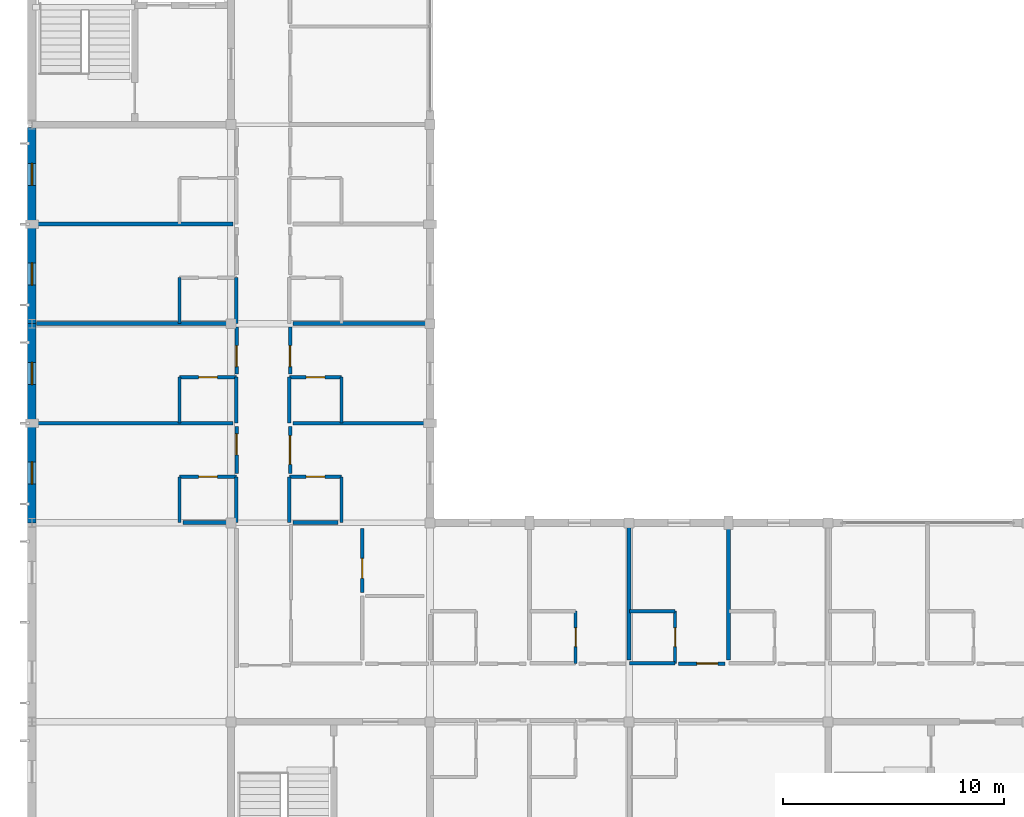
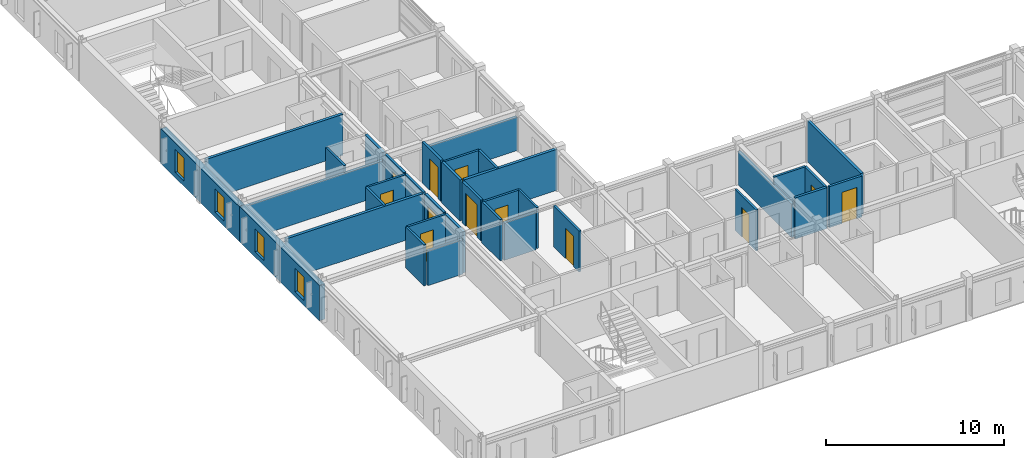
# One storey, part 11 of 24: 35 walls, 12 doors, 4 windows, 16 openings.
"""IFC4 building model written with IfcOpenShell, lengths in metres."""

from ifc_helpers import new_model, si_unit, direction, frame, frame_2d, origin, place, context, subcontext, project, spatial, rectangle, extrude, material, layer, layer_set, type_object, element, fill, save


model = new_model("IFC4")

# Units and contexts
model_context = context("Model", 3, precision=1e-05, world=origin(), true_north=direction((0.0, 1.0)))
body_context = subcontext(model_context, "Body", "Model", "MODEL_VIEW")
ifc_project = project(units=[si_unit("LENGTHUNIT", "METRE"), si_unit("AREAUNIT", "SQUARE_METRE"), si_unit("VOLUMEUNIT", "CUBIC_METRE"), si_unit("PLANEANGLEUNIT", "RADIAN"), si_unit("MASSUNIT", "GRAM", prefix="KILO")], contexts=[model_context])

# Site, building, storey
site_placement = place(None, origin())
site = spatial("IfcSite", under=ifc_project, at=site_placement, CompositionType="ELEMENT")
building_placement = place(site_placement, origin())
building = spatial("IfcBuilding", under=site, at=building_placement, Name="Palais des Congres Ocreval", CompositionType="ELEMENT")
storey_placement = place(building_placement, frame((0.0, 0.0, 17.60009765625)))
storey = spatial("IfcBuildingStorey", under=building, at=storey_placement, Name="L05", CompositionType="ELEMENT", Elevation=17.60009765625)

# Wall, opening, door
ifc_material_1 = material(Name="Moisture-resistant gypsum board")
ifc_layer_1 = layer(ifc_material_1, 0.139892578125)
ifc_layer_set_1 = layer_set([ifc_layer_1], Name="Bathroom Plumbing Chase Wall 140 Gypsum (Moisture-resistant gypsum board)")
wall_type_1 = type_object("IfcWallType", Name="Bathroom Plumbing Chase Wall 140 Gypsum", PredefinedType="PLUMBINGWALL", material=ifc_layer_set_1)
wall_1_placement = place(storey_placement, frame((24.580078125, 11.639892578125, 0.0), z_axis=(0.0, 0.0, 1.0), x_axis=(0.0, 1.0, 0.0)))
wall_1 = element("IfcWall", 1, at=wall_1_placement, inside=storey, type_object=wall_type_1, Name="Bathroom Plumbing Wall PW03 L05", PredefinedType="PLUMBINGWALL", context=body_context, shape_type="SweptSolid", body=[
    extrude(rectangle(XDim=2.360107421875, YDim=0.139892578125, at=frame_2d((1.18017578125, 0.0))), origin(), (0.0, 0.0, 1.0), 2.81982421875),
])
opening_1_placement = place(wall_1_placement, frame((0.7548828125, 0.0, 0.0)))
opening_1 = element("IfcOpeningElement", 2, at=opening_1_placement, cuts=wall_1, Name="Opening D08", PredefinedType="OPENING", context=body_context, shape_type="SweptSolid", body=[
    extrude(rectangle(XDim=0.85009765625, YDim=2.0400390625, at=frame_2d((0.425048828125, 1.02001953125))), frame((0.0, 0.079833984375, 0.0), z_axis=(0.0, -1.0, 0.0), x_axis=(1.0, 0.0, 0.0)), (0.0, 0.0, 1.0), 0.159912109375),
])
ifc_material_2 = material(Name="Solid French oak", Category="wood")
door_type_1 = type_object("IfcDoorType", Name="En-Suite Bathroom Door 850x2040", OperationType="NOTDEFINED", PredefinedType="DOOR", material=ifc_material_2)
door_1_placement = place(opening_1_placement, origin())
door_1 = element("IfcDoor", 3, at=door_1_placement, inside=storey, type_object=door_type_1, Name="En-Suite Bathroom Door D08 L05", OperationType="SINGLE_SWING_RIGHT", OverallHeight=2.0400390625, OverallWidth=0.85009765625, PredefinedType="DOOR", context=body_context, shape_type="SweptSolid", body=[
    extrude(rectangle(XDim=0.85009765625, YDim=2.0400390625, at=frame_2d((0.425048828125, 1.02001953125))), frame((0.0, 0.02490234375, 0.0), z_axis=(0.0, -1.0, 0.0), x_axis=(1.0, 0.0, 0.0)), (0.0, 0.0, 1.0), 0.050048828125),
])
fill(opening_1, door_1)

wall_2_placement = place(storey_placement, frame((29.080078125, 11.639892578125, 0.0), z_axis=(0.0, 0.0, 1.0), x_axis=(0.0, 1.0, 0.0)))
wall_2 = element("IfcWall", 4, at=wall_2_placement, inside=storey, type_object=wall_type_1, Name="Bathroom Plumbing Wall PW03 L05", PredefinedType="PLUMBINGWALL", context=body_context, shape_type="SweptSolid", body=[
    extrude(rectangle(XDim=2.360107421875, YDim=0.139892578125, at=frame_2d((1.18017578125, 0.0))), origin(), (0.0, 0.0, 1.0), 2.81982421875),
])
opening_2_placement = place(wall_2_placement, frame((0.7548828125, 0.0, 0.0)))
opening_2 = element("IfcOpeningElement", 5, at=opening_2_placement, cuts=wall_2, Name="Opening D08", PredefinedType="OPENING", context=body_context, shape_type="SweptSolid", body=[
    extrude(rectangle(XDim=0.85009765625, YDim=2.0400390625, at=frame_2d((0.425048828125, 1.02001953125))), frame((0.0, 0.079833984375, 0.0), z_axis=(0.0, -1.0, 0.0), x_axis=(1.0, 0.0, 0.0)), (0.0, 0.0, 1.0), 0.159912109375),
])
door_2_placement = place(opening_2_placement, origin())
door_2 = element("IfcDoor", 6, at=door_2_placement, inside=storey, type_object=door_type_1, Name="En-Suite Bathroom Door D08 L05", OperationType="SINGLE_SWING_LEFT", OverallHeight=2.0400390625, OverallWidth=0.85009765625, PredefinedType="DOOR", context=body_context, shape_type="SweptSolid", body=[
    extrude(rectangle(XDim=0.85009765625, YDim=2.0400390625, at=frame_2d((0.425048828125, 1.02001953125))), frame((0.0, 0.02490234375, 0.0), z_axis=(0.0, -1.0, 0.0), x_axis=(1.0, 0.0, 0.0)), (0.0, 0.0, 1.0), 0.050048828125),
])
fill(opening_2, door_2)

# Wall
wall_3_placement = place(storey_placement, frame((27.02001953125, 14.0, 0.0), z_axis=(0.0, 0.0, 1.0), x_axis=(1.0, 0.0, 0.0)))
element("IfcWall", 7, at=wall_3_placement, inside=storey, type_object=wall_type_1, Name="Bathroom Plumbing Wall PW03 L05", PredefinedType="PLUMBINGWALL", context=body_context, shape_type="SweptSolid", body=[
    extrude(rectangle(XDim=2.06005859375, YDim=0.139892578125, at=frame_2d((1.030029296875, 0.0))), origin(), (0.0, 0.0, 1.0), 2.81982421875),
])

# Wall, opening, door
wall_4_placement = place(storey_placement, frame((6.679931640625, 20.080078125, 0.0), z_axis=(0.0, 0.0, 1.0), x_axis=(1.0, 0.0, 0.0)))
wall_4 = element("IfcWall", 8, at=wall_4_placement, inside=storey, type_object=wall_type_1, Name="Bathroom Plumbing Wall PW03 L05", PredefinedType="PLUMBINGWALL", context=body_context, shape_type="SweptSolid", body=[
    extrude(rectangle(XDim=2.56005859375, YDim=0.139892578125, at=frame_2d((1.280029296875, 0.0))), origin(), (0.0, 0.0, 1.0), 2.81982421875),
])
opening_3_placement = place(wall_4_placement, frame((0.85498046875, 0.0, 0.0)))
opening_3 = element("IfcOpeningElement", 9, at=opening_3_placement, cuts=wall_4, Name="Opening D08", PredefinedType="OPENING", context=body_context, shape_type="SweptSolid", body=[
    extrude(rectangle(XDim=0.85009765625, YDim=2.0400390625, at=frame_2d((0.425048828125, 1.02001953125))), frame((0.0, 0.079833984375, 0.0), z_axis=(0.0, -1.0, 0.0), x_axis=(1.0, 0.0, 0.0)), (0.0, 0.0, 1.0), 0.159912109375),
])
door_3_placement = place(opening_3_placement, origin())
door_3 = element("IfcDoor", 10, at=door_3_placement, inside=storey, type_object=door_type_1, Name="En-Suite Bathroom Door D08 L05", OperationType="SINGLE_SWING_LEFT", OverallHeight=2.0400390625, OverallWidth=0.85009765625, PredefinedType="DOOR", context=body_context, shape_type="SweptSolid", body=[
    extrude(rectangle(XDim=0.85009765625, YDim=2.0400390625, at=frame_2d((0.425048828125, 1.02001953125))), frame((0.0, 0.02490234375, 0.0), z_axis=(0.0, -1.0, 0.0), x_axis=(1.0, 0.0, 0.0)), (0.0, 0.0, 1.0), 0.050048828125),
])
fill(opening_3, door_3)

# Wall
wall_5_placement = place(storey_placement, frame((6.679931640625, 18.02001953125, 0.0), z_axis=(0.0, 0.0, 1.0), x_axis=(0.0, 1.0, 0.0)))
element("IfcWall", 11, at=wall_5_placement, inside=storey, type_object=wall_type_1, Name="Bathroom Plumbing Wall PW03 L05", PredefinedType="PLUMBINGWALL", context=body_context, shape_type="SweptSolid", body=[
    extrude(rectangle(XDim=2.06005859375, YDim=0.139892578125, at=frame_2d((1.030029296875, 0.0))), origin(), (0.0, 0.0, 1.0), 2.81982421875),
])

# Wall, opening, door
wall_6_placement = place(storey_placement, frame((6.679931640625, 24.580078125, 0.0), z_axis=(0.0, 0.0, 1.0), x_axis=(1.0, 0.0, 0.0)))
wall_6 = element("IfcWall", 12, at=wall_6_placement, inside=storey, type_object=wall_type_1, Name="Bathroom Plumbing Wall PW03 L05", PredefinedType="PLUMBINGWALL", context=body_context, shape_type="SweptSolid", body=[
    extrude(rectangle(XDim=2.56005859375, YDim=0.139892578125, at=frame_2d((1.280029296875, 0.0))), origin(), (0.0, 0.0, 1.0), 2.81982421875),
])
opening_4_placement = place(wall_6_placement, frame((0.85498046875, 0.0, 0.0)))
opening_4 = element("IfcOpeningElement", 13, at=opening_4_placement, cuts=wall_6, Name="Opening D08", PredefinedType="OPENING", context=body_context, shape_type="SweptSolid", body=[
    extrude(rectangle(XDim=0.85009765625, YDim=2.0400390625, at=frame_2d((0.425048828125, 1.02001953125))), frame((0.0, 0.079833984375, 0.0), z_axis=(0.0, -1.0, 0.0), x_axis=(1.0, 0.0, 0.0)), (0.0, 0.0, 1.0), 0.159912109375),
])
door_4_placement = place(opening_4_placement, origin())
door_4 = element("IfcDoor", 14, at=door_4_placement, inside=storey, type_object=door_type_1, Name="En-Suite Bathroom Door D08 L05", OperationType="SINGLE_SWING_RIGHT", OverallHeight=2.0400390625, OverallWidth=0.85009765625, PredefinedType="DOOR", context=body_context, shape_type="SweptSolid", body=[
    extrude(rectangle(XDim=0.85009765625, YDim=2.0400390625, at=frame_2d((0.425048828125, 1.02001953125))), frame((0.0, 0.02490234375, 0.0), z_axis=(0.0, -1.0, 0.0), x_axis=(1.0, 0.0, 0.0)), (0.0, 0.0, 1.0), 0.050048828125),
])
fill(opening_4, door_4)

# Wall
wall_7_placement = place(storey_placement, frame((6.679931640625, 22.52001953125, 0.0), z_axis=(0.0, 0.0, 1.0), x_axis=(0.0, 1.0, 0.0)))
element("IfcWall", 15, at=wall_7_placement, inside=storey, type_object=wall_type_1, Name="Bathroom Plumbing Wall PW03 L05", PredefinedType="PLUMBINGWALL", context=body_context, shape_type="SweptSolid", body=[
    extrude(rectangle(XDim=2.06005859375, YDim=0.139892578125, at=frame_2d((1.030029296875, 0.0))), origin(), (0.0, 0.0, 1.0), 2.81982421875),
])

# Wall, opening, door
wall_8_placement = place(storey_placement, frame((11.639892578125, 20.080078125, 0.0), z_axis=(0.0, 0.0, 1.0), x_axis=(1.0, 0.0, 0.0)))
wall_8 = element("IfcWall", 16, at=wall_8_placement, inside=storey, type_object=wall_type_1, Name="Bathroom Plumbing Wall PW03 L05", PredefinedType="PLUMBINGWALL", context=body_context, shape_type="SweptSolid", body=[
    extrude(rectangle(XDim=2.360107421875, YDim=0.139892578125, at=frame_2d((1.18017578125, 0.0))), origin(), (0.0, 0.0, 1.0), 2.81982421875),
])
opening_5_placement = place(wall_8_placement, frame((0.7548828125, 0.0, 0.0)))
opening_5 = element("IfcOpeningElement", 17, at=opening_5_placement, cuts=wall_8, Name="Opening D08", PredefinedType="OPENING", context=body_context, shape_type="SweptSolid", body=[
    extrude(rectangle(XDim=0.85009765625, YDim=2.0400390625, at=frame_2d((0.425048828125, 1.02001953125))), frame((0.0, 0.079833984375, 0.0), z_axis=(0.0, -1.0, 0.0), x_axis=(1.0, 0.0, 0.0)), (0.0, 0.0, 1.0), 0.159912109375),
])
door_5_placement = place(opening_5_placement, origin())
door_5 = element("IfcDoor", 18, at=door_5_placement, inside=storey, type_object=door_type_1, Name="En-Suite Bathroom Door D08 L05", OperationType="SINGLE_SWING_LEFT", OverallHeight=2.0400390625, OverallWidth=0.85009765625, PredefinedType="DOOR", context=body_context, shape_type="SweptSolid", body=[
    extrude(rectangle(XDim=0.85009765625, YDim=2.0400390625, at=frame_2d((0.425048828125, 1.02001953125))), frame((0.0, 0.02490234375, 0.0), z_axis=(0.0, -1.0, 0.0), x_axis=(1.0, 0.0, 0.0)), (0.0, 0.0, 1.0), 0.050048828125),
])
fill(opening_5, door_5)

# Wall
wall_9_placement = place(storey_placement, frame((14.0, 18.02001953125, 0.0), z_axis=(0.0, 0.0, 1.0), x_axis=(0.0, 1.0, 0.0)))
element("IfcWall", 19, at=wall_9_placement, inside=storey, type_object=wall_type_1, Name="Bathroom Plumbing Wall PW03 L05", PredefinedType="PLUMBINGWALL", context=body_context, shape_type="SweptSolid", body=[
    extrude(rectangle(XDim=2.06005859375, YDim=0.139892578125, at=frame_2d((1.030029296875, 0.0))), origin(), (0.0, 0.0, 1.0), 2.81982421875),
])

# Wall, opening, door
wall_10_placement = place(storey_placement, frame((11.639892578125, 24.580078125, 0.0), z_axis=(0.0, 0.0, 1.0), x_axis=(1.0, 0.0, 0.0)))
wall_10 = element("IfcWall", 20, at=wall_10_placement, inside=storey, type_object=wall_type_1, Name="Bathroom Plumbing Wall PW03 L05", PredefinedType="PLUMBINGWALL", context=body_context, shape_type="SweptSolid", body=[
    extrude(rectangle(XDim=2.360107421875, YDim=0.139892578125, at=frame_2d((1.18017578125, 0.0))), origin(), (0.0, 0.0, 1.0), 2.81982421875),
])
opening_6_placement = place(wall_10_placement, frame((0.7548828125, 0.0, 0.0)))
opening_6 = element("IfcOpeningElement", 21, at=opening_6_placement, cuts=wall_10, Name="Opening D08", PredefinedType="OPENING", context=body_context, shape_type="SweptSolid", body=[
    extrude(rectangle(XDim=0.85009765625, YDim=2.0400390625, at=frame_2d((0.425048828125, 1.02001953125))), frame((0.0, 0.079833984375, 0.0), z_axis=(0.0, -1.0, 0.0), x_axis=(1.0, 0.0, 0.0)), (0.0, 0.0, 1.0), 0.159912109375),
])
door_6_placement = place(opening_6_placement, origin())
door_6 = element("IfcDoor", 22, at=door_6_placement, inside=storey, type_object=door_type_1, Name="En-Suite Bathroom Door D08 L05", OperationType="SINGLE_SWING_RIGHT", OverallHeight=2.0400390625, OverallWidth=0.85009765625, PredefinedType="DOOR", context=body_context, shape_type="SweptSolid", body=[
    extrude(rectangle(XDim=0.85009765625, YDim=2.0400390625, at=frame_2d((0.425048828125, 1.02001953125))), frame((0.0, 0.02490234375, 0.0), z_axis=(0.0, -1.0, 0.0), x_axis=(1.0, 0.0, 0.0)), (0.0, 0.0, 1.0), 0.050048828125),
])
fill(opening_6, door_6)

# Walls
for number, where, z_axis, x_axis, name in (
    (23, (14.0, 22.52001953125, 0.0), (0.0, 0.0, 1.0), (0.0, 1.0, 0.0), "Bathroom Plumbing Wall PW03 L05"),
    (24, (6.679931640625, 27.02001953125, 0.0), (0.0, 0.0, 1.0), (0.0, 1.0, 0.0), "Bathroom Plumbing Wall PW03 L05"),
):
    element("IfcWall", number, at=place(storey_placement, frame(where, z_axis=z_axis, x_axis=x_axis)), inside=storey, type_object=wall_type_1, Name=name, PredefinedType="PLUMBINGWALL", context=body_context, shape_type="SweptSolid", body=[
        extrude(rectangle(XDim=2.06005859375, YDim=0.139892578125, at=frame_2d((1.030029296875, 0.0))), origin(), (0.0, 0.0, 1.0), 2.81982421875),
    ])

# Wall, opening, door
wall_11_placement = place(storey_placement, frame((14.93505859375, 14.844970703125, 0.0), z_axis=(0.0, 0.0, 1.0), x_axis=(0.0, 1.0, 0.0)))
wall_11 = element("IfcWall", 25, at=wall_11_placement, inside=storey, type_object=wall_type_1, Name="Interior Partition PW03 L05", PredefinedType="PLUMBINGWALL", context=body_context, shape_type="SweptSolid", body=[
    extrude(rectangle(XDim=2.885009765625, YDim=0.139892578125, at=frame_2d((1.4423828125, 0.0))), origin(), (0.0, 0.0, 1.0), 2.81982421875),
])
opening_7_placement = place(wall_11_placement, frame((0.646240234375, 0.0, 0.0)))
opening_7 = element("IfcOpeningElement", 26, at=opening_7_placement, cuts=wall_11, Name="Opening D09", PredefinedType="OPENING", context=body_context, shape_type="SweptSolid", body=[
    extrude(rectangle(XDim=0.89990234375, YDim=2.10009765625, at=frame_2d((0.449951171875, 1.050048828125))), frame((0.0, 0.079833984375, 0.0), z_axis=(0.0, -1.0, 0.0), x_axis=(1.0, 0.0, 0.0)), (0.0, 0.0, 1.0), 0.159912109375),
])
door_type_2 = type_object("IfcDoorType", Name="Accessible Restroom Door 900x2100", OperationType="NOTDEFINED", PredefinedType="DOOR", material=ifc_material_2)
door_7_placement = place(opening_7_placement, origin())
door_7 = element("IfcDoor", 27, at=door_7_placement, inside=storey, type_object=door_type_2, Name="Interior Door D09 L05", OperationType="SINGLE_SWING_LEFT", OverallHeight=2.10009765625, OverallWidth=0.89990234375, PredefinedType="DOOR", context=body_context, shape_type="SweptSolid", body=[
    extrude(rectangle(XDim=0.89990234375, YDim=2.10009765625, at=frame_2d((0.449951171875, 1.050048828125))), frame((0.0, 0.02490234375, 0.0), z_axis=(0.0, -1.0, 0.0), x_axis=(1.0, 0.0, 0.0)), (0.0, 0.0, 1.0), 0.050048828125),
])
fill(opening_7, door_7)

# Walls
ifc_material_3 = material(Name="Gypsum acoustic partition")
ifc_layer_2 = layer(ifc_material_3, 0.159912109375)
ifc_layer_set_2 = layer_set([ifc_layer_2], Name="Corridor Fire Partition 160 Gypsum (Gypsum acoustic partition)")
wall_type_2 = type_object("IfcWallType", Name="Corridor Fire Partition 160 Gypsum", PredefinedType="PARTITIONING", material=ifc_layer_set_2)
for number, where, z_axis, x_axis, name in (
    (28, (27.02001953125, 11.639892578125, 0.0), (0.0, 0.0, 1.0), (1.0, 0.0, 0.0), "Corridor Partition IW03 L05"),
    (29, (9.239990234375, 18.02001953125, 0.0), (0.0, 0.0, 1.0), (0.0, 1.0, 0.0), "Corridor Partition IW03 L05"),
    (30, (9.239990234375, 22.52001953125, 0.0), (0.0, 0.0, 1.0), (0.0, 1.0, 0.0), "Corridor Partition IW03 L05"),
    (31, (11.639892578125, 18.02001953125, 0.0), (0.0, 0.0, 1.0), (0.0, 1.0, 0.0), "Corridor Partition IW03 L05"),
    (32, (11.639892578125, 22.52001953125, 0.0), (0.0, 0.0, 1.0), (0.0, 1.0, 0.0), "Corridor Partition IW03 L05"),
    (33, (9.239990234375, 27.02001953125, 0.0), (0.0, 0.0, 1.0), (0.0, 1.0, 0.0), "Corridor Partition IW03 L05"),
):
    element("IfcWall", number, at=place(storey_placement, frame(where, z_axis=z_axis, x_axis=x_axis)), inside=storey, type_object=wall_type_2, Name=name, PredefinedType="PARTITIONING", context=body_context, shape_type="SweptSolid", body=[
        extrude(rectangle(XDim=2.06005859375, YDim=0.159912109375, at=frame_2d((1.030029296875, 0.0))), origin(), (0.0, 0.0, 1.0), 2.81982421875),
    ])

# Wall, opening, door
wall_12_placement = place(storey_placement, frame((29.235107421875, 11.635009765625, 0.0), z_axis=(0.0, 0.0, 1.0), x_axis=(1.0, 0.0, 0.0)))
wall_12 = element("IfcWall", 34, at=wall_12_placement, inside=storey, type_object=wall_type_2, Name="Interior Partition IW03 L05", PredefinedType="PARTITIONING", context=body_context, shape_type="SweptSolid", body=[
    extrude(rectangle(XDim=2.10986328125, YDim=0.159912109375, at=frame_2d((1.054931640625, 0.0))), origin(), (0.0, 0.0, 1.0), 2.81982421875),
])
opening_8_placement = place(wall_12_placement, frame((0.833251953125, 0.0, 0.0)))
opening_8 = element("IfcOpeningElement", 35, at=opening_8_placement, cuts=wall_12, Name="Opening D05", PredefinedType="OPENING", context=body_context, shape_type="SweptSolid", body=[
    extrude(rectangle(XDim=0.949951171875, YDim=2.14990234375, at=frame_2d((0.47509765625, 1.074951171875))), frame((0.0, 0.08984375, 0.0), z_axis=(0.0, -1.0, 0.0), x_axis=(1.0, 0.0, 0.0)), (0.0, 0.0, 1.0), 0.179931640625),
])
door_type_3 = type_object("IfcDoorType", Name="Hotel Guestroom Entrance Door 950x2150", OperationType="NOTDEFINED", PredefinedType="DOOR", material=ifc_material_2)
door_8_placement = place(opening_8_placement, origin())
door_8 = element("IfcDoor", 36, at=door_8_placement, inside=storey, type_object=door_type_3, Name="Interior Door D05 L05", OperationType="SINGLE_SWING_RIGHT", OverallHeight=2.14990234375, OverallWidth=0.949951171875, PredefinedType="DOOR", context=body_context, shape_type="SweptSolid", body=[
    extrude(rectangle(XDim=0.949951171875, YDim=2.14990234375, at=frame_2d((0.47509765625, 1.074951171875))), frame((0.0, 0.02490234375, 0.0), z_axis=(0.0, -1.0, 0.0), x_axis=(1.0, 0.0, 0.0)), (0.0, 0.0, 1.0), 0.050048828125),
])
fill(opening_8, door_8)

wall_13_placement = place(storey_placement, frame((9.25, 20.235107421875, 0.0), z_axis=(0.0, 0.0, 1.0), x_axis=(0.0, 1.0, 0.0)))
wall_13 = element("IfcWall", 37, at=wall_13_placement, inside=storey, type_object=wall_type_2, Name="Interior Partition IW03 L05", PredefinedType="PARTITIONING", context=body_context, shape_type="SweptSolid", body=[
    extrude(rectangle(XDim=2.10986328125, YDim=0.159912109375, at=frame_2d((1.054931640625, 0.0))), origin(), (0.0, 0.0, 1.0), 2.81982421875),
])
opening_9_placement = place(wall_13_placement, frame((0.833251953125, 0.0, 0.0)))
opening_9 = element("IfcOpeningElement", 38, at=opening_9_placement, cuts=wall_13, Name="Opening D05", PredefinedType="OPENING", context=body_context, shape_type="SweptSolid", body=[
    extrude(rectangle(XDim=0.949951171875, YDim=2.14990234375, at=frame_2d((0.47509765625, 1.074951171875))), frame((0.0, 0.08984375, 0.0), z_axis=(0.0, -1.0, 0.0), x_axis=(1.0, 0.0, 0.0)), (0.0, 0.0, 1.0), 0.179931640625),
])
door_9_placement = place(opening_9_placement, origin())
door_9 = element("IfcDoor", 39, at=door_9_placement, inside=storey, type_object=door_type_3, Name="Interior Door D05 L05", OperationType="SINGLE_SWING_RIGHT", OverallHeight=2.14990234375, OverallWidth=0.949951171875, PredefinedType="DOOR", context=body_context, shape_type="SweptSolid", body=[
    extrude(rectangle(XDim=0.949951171875, YDim=2.14990234375, at=frame_2d((0.47509765625, 1.074951171875))), frame((0.0, 0.02490234375, 0.0), z_axis=(0.0, -1.0, 0.0), x_axis=(1.0, 0.0, 0.0)), (0.0, 0.0, 1.0), 0.050048828125),
])
fill(opening_9, door_9)

wall_14_placement = place(storey_placement, frame((9.25, 24.735107421875, 0.0), z_axis=(0.0, 0.0, 1.0), x_axis=(0.0, 1.0, 0.0)))
wall_14 = element("IfcWall", 40, at=wall_14_placement, inside=storey, type_object=wall_type_2, Name="Interior Partition IW03 L05", PredefinedType="PARTITIONING", context=body_context, shape_type="SweptSolid", body=[
    extrude(rectangle(XDim=2.10986328125, YDim=0.159912109375, at=frame_2d((1.054931640625, 0.0))), origin(), (0.0, 0.0, 1.0), 2.81982421875),
])
opening_10_placement = place(wall_14_placement, frame((0.326904296875, 0.0, 0.0)))
opening_10 = element("IfcOpeningElement", 41, at=opening_10_placement, cuts=wall_14, Name="Opening D05", PredefinedType="OPENING", context=body_context, shape_type="SweptSolid", body=[
    extrude(rectangle(XDim=0.949951171875, YDim=2.14990234375, at=frame_2d((0.47509765625, 1.074951171875))), frame((0.0, 0.08984375, 0.0), z_axis=(0.0, -1.0, 0.0), x_axis=(1.0, 0.0, 0.0)), (0.0, 0.0, 1.0), 0.179931640625),
])
door_10_placement = place(opening_10_placement, origin())
door_10 = element("IfcDoor", 42, at=door_10_placement, inside=storey, type_object=door_type_3, Name="Interior Door D05 L05", OperationType="SINGLE_SWING_LEFT", OverallHeight=2.14990234375, OverallWidth=0.949951171875, PredefinedType="DOOR", context=body_context, shape_type="SweptSolid", body=[
    extrude(rectangle(XDim=0.949951171875, YDim=2.14990234375, at=frame_2d((0.47509765625, 1.074951171875))), frame((0.0, 0.02490234375, 0.0), z_axis=(0.0, -1.0, 0.0), x_axis=(1.0, 0.0, 0.0)), (0.0, 0.0, 1.0), 0.050048828125),
])
fill(opening_10, door_10)

wall_15_placement = place(storey_placement, frame((11.669921875, 20.235107421875, 0.0), z_axis=(0.0, 0.0, 1.0), x_axis=(0.0, 1.0, 0.0)))
wall_15 = element("IfcWall", 43, at=wall_15_placement, inside=storey, type_object=wall_type_2, Name="Interior Partition IW03 L05", PredefinedType="PARTITIONING", context=body_context, shape_type="SweptSolid", body=[
    extrude(rectangle(XDim=2.10986328125, YDim=0.159912109375, at=frame_2d((1.054931640625, 0.0))), origin(), (0.0, 0.0, 1.0), 2.81982421875),
])
opening_11_placement = place(wall_15_placement, frame((0.405029296875, 0.0, 0.0)))
opening_11 = element("IfcOpeningElement", 44, at=opening_11_placement, cuts=wall_15, Name="Opening D07", PredefinedType="OPENING", context=body_context, shape_type="SweptSolid", body=[
    extrude(rectangle(XDim=1.300048828125, YDim=2.25, at=frame_2d((0.64990234375, 1.125))), frame((0.0, 0.08984375, 0.0), z_axis=(0.0, -1.0, 0.0), x_axis=(1.0, 0.0, 0.0)), (0.0, 0.0, 1.0), 0.179931640625),
])
door_type_4 = type_object("IfcDoorType", Name="Luxury Suite Double Door 1300x2250", OperationType="NOTDEFINED", PredefinedType="DOOR", material=ifc_material_2)
door_11_placement = place(opening_11_placement, origin())
door_11 = element("IfcDoor", 45, at=door_11_placement, inside=storey, type_object=door_type_4, Name="Interior Door D07 L05", OperationType="DOUBLE_DOOR_SINGLE_SWING", OverallHeight=2.25, OverallWidth=1.300048828125, PredefinedType="DOOR", context=body_context, shape_type="SweptSolid", body=[
    extrude(rectangle(XDim=1.300048828125, YDim=2.25, at=frame_2d((0.64990234375, 1.125))), frame((0.0, 0.02490234375, 0.0), z_axis=(0.0, -1.0, 0.0), x_axis=(1.0, 0.0, 0.0)), (0.0, 0.0, 1.0), 0.050048828125),
])
fill(opening_11, door_11)

wall_16_placement = place(storey_placement, frame((11.669921875, 24.735107421875, 0.0), z_axis=(0.0, 0.0, 1.0), x_axis=(0.0, 1.0, 0.0)))
wall_16 = element("IfcWall", 46, at=wall_16_placement, inside=storey, type_object=wall_type_2, Name="Interior Partition IW03 L05", PredefinedType="PARTITIONING", context=body_context, shape_type="SweptSolid", body=[
    extrude(rectangle(XDim=2.10986328125, YDim=0.159912109375, at=frame_2d((1.054931640625, 0.0))), origin(), (0.0, 0.0, 1.0), 2.81982421875),
])
opening_12_placement = place(wall_16_placement, frame((0.326904296875, 0.0, 0.0)))
opening_12 = element("IfcOpeningElement", 47, at=opening_12_placement, cuts=wall_16, Name="Opening D05", PredefinedType="OPENING", context=body_context, shape_type="SweptSolid", body=[
    extrude(rectangle(XDim=0.949951171875, YDim=2.14990234375, at=frame_2d((0.47509765625, 1.074951171875))), frame((0.0, 0.08984375, 0.0), z_axis=(0.0, -1.0, 0.0), x_axis=(1.0, 0.0, 0.0)), (0.0, 0.0, 1.0), 0.179931640625),
])
door_12_placement = place(opening_12_placement, origin())
door_12 = element("IfcDoor", 48, at=door_12_placement, inside=storey, type_object=door_type_3, Name="Interior Door D05 L05", OperationType="SINGLE_SWING_RIGHT", OverallHeight=2.14990234375, OverallWidth=0.949951171875, PredefinedType="DOOR", context=body_context, shape_type="SweptSolid", body=[
    extrude(rectangle(XDim=0.949951171875, YDim=2.14990234375, at=frame_2d((0.47509765625, 1.074951171875))), frame((0.0, 0.02490234375, 0.0), z_axis=(0.0, -1.0, 0.0), x_axis=(1.0, 0.0, 0.0)), (0.0, 0.0, 1.0), 0.050048828125),
])
fill(opening_12, door_12)

# Walls
ifc_layer_3 = layer(ifc_material_3, 0.179931640625)
ifc_layer_set_3 = layer_set([ifc_layer_3], Name="Hotel Inter-Room Acoustic Partition 180 Gypsum (Gypsum acoustic partition)")
wall_type_3 = type_object("IfcWallType", Name="Hotel Inter-Room Acoustic Partition 180 Gypsum", PredefinedType="PARTITIONING", material=ifc_layer_set_3)
wall_17_placement = place(storey_placement, frame((27.0, 11.794921875, 0.0), z_axis=(0.0, 0.0, 1.0), x_axis=(0.0, 1.0, 0.0)))
element("IfcWall", 49, at=wall_17_placement, inside=storey, type_object=wall_type_3, Name="Hotel Party Partition IW02 L05", PredefinedType="PARTITIONING", context=body_context, shape_type="SweptSolid", body=[
    extrude(rectangle(XDim=6.030029296875, YDim=0.179931640625, at=frame_2d((3.01513671875, 0.0))), origin(), (0.0, 0.0, 1.0), 2.289794921875),
])
wall_18_placement = place(storey_placement, frame((31.5, 11.794921875, 0.0), z_axis=(0.0, 0.0, 1.0), x_axis=(0.0, 1.0, 0.0)))
element("IfcWall", 50, at=wall_18_placement, inside=storey, type_object=wall_type_3, Name="Hotel Party Partition IW02 L05", PredefinedType="PARTITIONING", context=body_context, shape_type="SweptSolid", body=[
    extrude(rectangle(XDim=6.030029296875, YDim=0.179931640625, at=frame_2d((3.01513671875, 0.0))), origin(), (0.0, 0.0, 1.0), 2.81982421875),
])
wall_19_placement = place(storey_placement, frame((0.195068359375, 22.5, 0.0), z_axis=(0.0, 0.0, 1.0), x_axis=(1.0, 0.0, 0.0)))
element("IfcWall", 51, at=wall_19_placement, inside=storey, type_object=wall_type_3, Name="Hotel Party Partition IW02 L05", PredefinedType="PARTITIONING", context=body_context, shape_type="SweptSolid", body=[
    extrude(rectangle(XDim=8.889892578125, YDim=0.179931640625, at=frame_2d((4.44482421875, 0.0))), origin(), (0.0, 0.0, 1.0), 2.81982421875),
])
wall_20_placement = place(storey_placement, frame((0.195068359375, 27.0, 0.0), z_axis=(0.0, 0.0, 1.0), x_axis=(1.0, 0.0, 0.0)))
element("IfcWall", 52, at=wall_20_placement, inside=storey, type_object=wall_type_3, Name="Hotel Party Partition IW02 L05", PredefinedType="PARTITIONING", context=body_context, shape_type="SweptSolid", body=[
    extrude(rectangle(XDim=8.889892578125, YDim=0.179931640625, at=frame_2d((4.44482421875, 0.0))), origin(), (0.0, 0.0, 1.0), 2.33984375),
])
wall_21_placement = place(storey_placement, frame((11.794921875, 22.5, 0.0), z_axis=(0.0, 0.0, 1.0), x_axis=(1.0, 0.0, 0.0)))
element("IfcWall", 53, at=wall_21_placement, inside=storey, type_object=wall_type_3, Name="Hotel Party Partition IW02 L05", PredefinedType="PARTITIONING", context=body_context, shape_type="SweptSolid", body=[
    extrude(rectangle(XDim=6.030029296875, YDim=0.179931640625, at=frame_2d((3.01513671875, 0.0))), origin(), (0.0, 0.0, 1.0), 2.81982421875),
])
wall_22_placement = place(storey_placement, frame((11.794921875, 27.0, 0.0), z_axis=(0.0, 0.0, 1.0), x_axis=(1.0, 0.0, 0.0)))
element("IfcWall", 54, at=wall_22_placement, inside=storey, type_object=wall_type_3, Name="Hotel Party Partition IW02 L05", PredefinedType="PARTITIONING", context=body_context, shape_type="SweptSolid", body=[
    extrude(rectangle(XDim=6.030029296875, YDim=0.179931640625, at=frame_2d((3.01513671875, 0.0))), origin(), (0.0, 0.0, 1.0), 2.289794921875),
])
wall_23_placement = place(storey_placement, frame((0.195068359375, 31.5, 0.0), z_axis=(0.0, 0.0, 1.0), x_axis=(1.0, 0.0, 0.0)))
element("IfcWall", 55, at=wall_23_placement, inside=storey, type_object=wall_type_3, Name="Hotel Party Partition IW02 L05", PredefinedType="PARTITIONING", context=body_context, shape_type="SweptSolid", body=[
    extrude(rectangle(XDim=8.889892578125, YDim=0.179931640625, at=frame_2d((4.44482421875, 0.0))), origin(), (0.0, 0.0, 1.0), 2.81982421875),
])
wall_24_placement = place(storey_placement, frame((6.8349609375, 18.02001953125, 0.0), z_axis=(0.0, 0.0, 1.0), x_axis=(1.0, 0.0, 0.0)))
element("IfcWall", 56, at=wall_24_placement, inside=storey, type_object=wall_type_3, Name="Bathroom Party Closure Wall IW02 L05", PredefinedType="PARTITIONING", context=body_context, shape_type="SweptSolid", body=[
    extrude(rectangle(XDim=2.260009765625, YDim=0.179931640625, at=frame_2d((1.1298828125, 0.0))), origin(), (0.0, 0.0, 1.0), 2.3798828125),
])
wall_25_placement = place(storey_placement, frame((11.794921875, 18.02001953125, 0.0), z_axis=(0.0, 0.0, 1.0), x_axis=(1.0, 0.0, 0.0)))
element("IfcWall", 57, at=wall_25_placement, inside=storey, type_object=wall_type_3, Name="Bathroom Party Closure Wall IW02 L05", PredefinedType="PARTITIONING", context=body_context, shape_type="SweptSolid", body=[
    extrude(rectangle(XDim=2.050048828125, YDim=0.179931640625, at=frame_2d((1.02490234375, 0.0))), origin(), (0.0, 0.0, 1.0), 2.5498046875),
])

# Wall, openings, windows
ifc_material_4 = material(Name="Concrete C40/50", Category="concrete")
ifc_layer_4 = layer(ifc_material_4, 0.3798828125)
ifc_layer_set_4 = layer_set([ifc_layer_4], Name="Lutetian Limestone Street Wall 380 Concrete C40/50")
wall_type_4 = type_object("IfcWallType", Name="Lutetian Limestone Street Wall 380 Concrete C40/50", PredefinedType="SOLIDWALL", material=ifc_layer_set_4)
wall_26_placement = place(storey_placement, frame((0.0, 18.0, 0.0), z_axis=(0.0, 0.0, 1.0), x_axis=(0.0, 1.0, 0.0)))
wall_26 = element("IfcWall", 58, at=wall_26_placement, inside=storey, type_object=wall_type_4, Name="Exterior Wall EW03 L05", PredefinedType="SOLIDWALL", context=body_context, shape_type="SweptSolid", body=[
    extrude(rectangle(XDim=9.0, YDim=0.3798828125, at=frame_2d((4.5, 0.0))), origin(), (0.0, 0.0, 1.0), 2.419921875),
])
opening_13_placement = place(wall_26_placement, frame((1.75, 0.0, 0.35009765625)))
opening_13 = element("IfcOpeningElement", 59, at=opening_13_placement, cuts=wall_26, Name="Opening WN18", PredefinedType="OPENING", context=body_context, shape_type="SweptSolid", body=[
    extrude(rectangle(XDim=1.0, YDim=1.60009765625, at=frame_2d((0.5, 0.800048828125))), frame((0.0, 0.199951171875, 0.0), z_axis=(0.0, -1.0, 0.0), x_axis=(1.0, 0.0, 0.0)), (0.0, 0.0, 1.0), 0.39990234375),
])
opening_14_placement = place(wall_26_placement, frame((6.25, 0.0, 0.35009765625)))
opening_14 = element("IfcOpeningElement", 60, at=opening_14_placement, cuts=wall_26, Name="Opening WN18", PredefinedType="OPENING", context=body_context, shape_type="SweptSolid", body=[
    extrude(rectangle(XDim=1.0, YDim=1.60009765625, at=frame_2d((0.5, 0.800048828125))), frame((0.0, 0.199951171875, 0.0), z_axis=(0.0, -1.0, 0.0), x_axis=(1.0, 0.0, 0.0)), (0.0, 0.0, 1.0), 0.39990234375),
])
ifc_material_5 = material(Name="Anodized bronze aluminium and low-E glass", Category="glass")
window_type = type_object("IfcWindowType", Name="Stair and Lobby Daylight Window 1000x1600", PartitioningType="SINGLE_PANEL", PredefinedType="WINDOW", material=ifc_material_5)
window_1_placement = place(opening_13_placement, origin())
window_1 = element("IfcWindow", 61, at=window_1_placement, inside=storey, type_object=window_type, Name="Hotel Facade Window WN18", OverallHeight=1.60009765625, OverallWidth=1.0, PartitioningType="SINGLE_PANEL", PredefinedType="WINDOW", context=body_context, shape_type="SweptSolid", body=[
    extrude(rectangle(XDim=1.0, YDim=1.60009765625, at=frame_2d((0.5, 0.800048828125))), frame((0.0, 0.030029296875, 0.0), z_axis=(0.0, -1.0, 0.0), x_axis=(1.0, 0.0, 0.0)), (0.0, 0.0, 1.0), 0.06005859375),
])
fill(opening_13, window_1)
window_2_placement = place(opening_14_placement, origin())
window_2 = element("IfcWindow", 62, at=window_2_placement, inside=storey, type_object=window_type, Name="Hotel Facade Window WN18", OverallHeight=1.60009765625, OverallWidth=1.0, PartitioningType="SINGLE_PANEL", PredefinedType="WINDOW", context=body_context, shape_type="SweptSolid", body=[
    extrude(rectangle(XDim=1.0, YDim=1.60009765625, at=frame_2d((0.5, 0.800048828125))), frame((0.0, 0.030029296875, 0.0), z_axis=(0.0, -1.0, 0.0), x_axis=(1.0, 0.0, 0.0)), (0.0, 0.0, 1.0), 0.06005859375),
])
fill(opening_14, window_2)

wall_27_placement = place(storey_placement, frame((0.0, 27.0, 0.0), z_axis=(0.0, 0.0, 1.0), x_axis=(0.0, 1.0, 0.0)))
wall_27 = element("IfcWall", 63, at=wall_27_placement, inside=storey, type_object=wall_type_4, Name="Exterior Wall EW03 L05", PredefinedType="SOLIDWALL", context=body_context, shape_type="SweptSolid", body=[
    extrude(rectangle(XDim=8.8701171875, YDim=0.3798828125, at=frame_2d((4.43505859375, 0.0))), origin(), (0.0, 0.0, 1.0), 2.3798828125),
])
opening_15_placement = place(wall_27_placement, frame((1.75, 0.0, 0.35009765625)))
opening_15 = element("IfcOpeningElement", 64, at=opening_15_placement, cuts=wall_27, Name="Opening WN18", PredefinedType="OPENING", context=body_context, shape_type="SweptSolid", body=[
    extrude(rectangle(XDim=1.0, YDim=1.60009765625, at=frame_2d((0.5, 0.800048828125))), frame((0.0, 0.199951171875, 0.0), z_axis=(0.0, -1.0, 0.0), x_axis=(1.0, 0.0, 0.0)), (0.0, 0.0, 1.0), 0.39990234375),
])
opening_16_placement = place(wall_27_placement, frame((6.25, 0.0, 0.35009765625)))
opening_16 = element("IfcOpeningElement", 65, at=opening_16_placement, cuts=wall_27, Name="Opening WN18", PredefinedType="OPENING", context=body_context, shape_type="SweptSolid", body=[
    extrude(rectangle(XDim=1.0, YDim=1.60009765625, at=frame_2d((0.5, 0.800048828125))), frame((0.0, 0.199951171875, 0.0), z_axis=(0.0, -1.0, 0.0), x_axis=(1.0, 0.0, 0.0)), (0.0, 0.0, 1.0), 0.39990234375),
])
window_3_placement = place(opening_15_placement, origin())
window_3 = element("IfcWindow", 66, at=window_3_placement, inside=storey, type_object=window_type, Name="Hotel Facade Window WN18", OverallHeight=1.60009765625, OverallWidth=1.0, PartitioningType="SINGLE_PANEL", PredefinedType="WINDOW", context=body_context, shape_type="SweptSolid", body=[
    extrude(rectangle(XDim=1.0, YDim=1.60009765625, at=frame_2d((0.5, 0.800048828125))), frame((0.0, 0.030029296875, 0.0), z_axis=(0.0, -1.0, 0.0), x_axis=(1.0, 0.0, 0.0)), (0.0, 0.0, 1.0), 0.06005859375),
])
fill(opening_15, window_3)
window_4_placement = place(opening_16_placement, origin())
window_4 = element("IfcWindow", 67, at=window_4_placement, inside=storey, type_object=window_type, Name="Hotel Facade Window WN18", OverallHeight=1.60009765625, OverallWidth=1.0, PartitioningType="SINGLE_PANEL", PredefinedType="WINDOW", context=body_context, shape_type="SweptSolid", body=[
    extrude(rectangle(XDim=1.0, YDim=1.60009765625, at=frame_2d((0.5, 0.800048828125))), frame((0.0, 0.030029296875, 0.0), z_axis=(0.0, -1.0, 0.0), x_axis=(1.0, 0.0, 0.0)), (0.0, 0.0, 1.0), 0.06005859375),
])
fill(opening_16, window_4)

save(model, "model.ifc")
